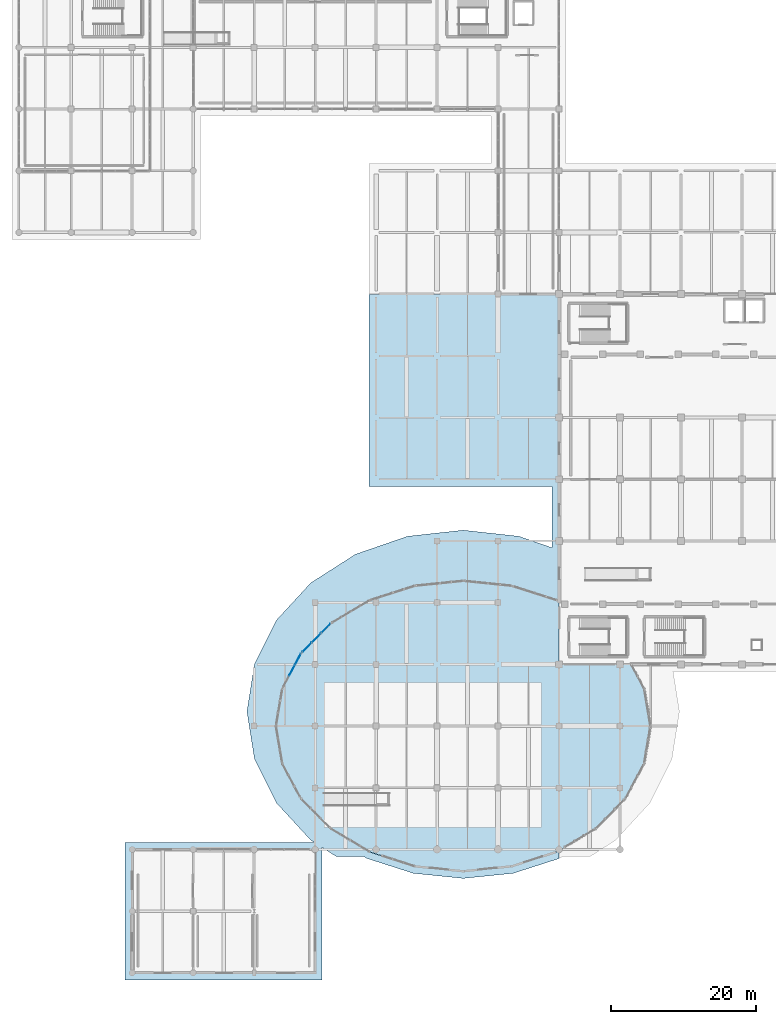
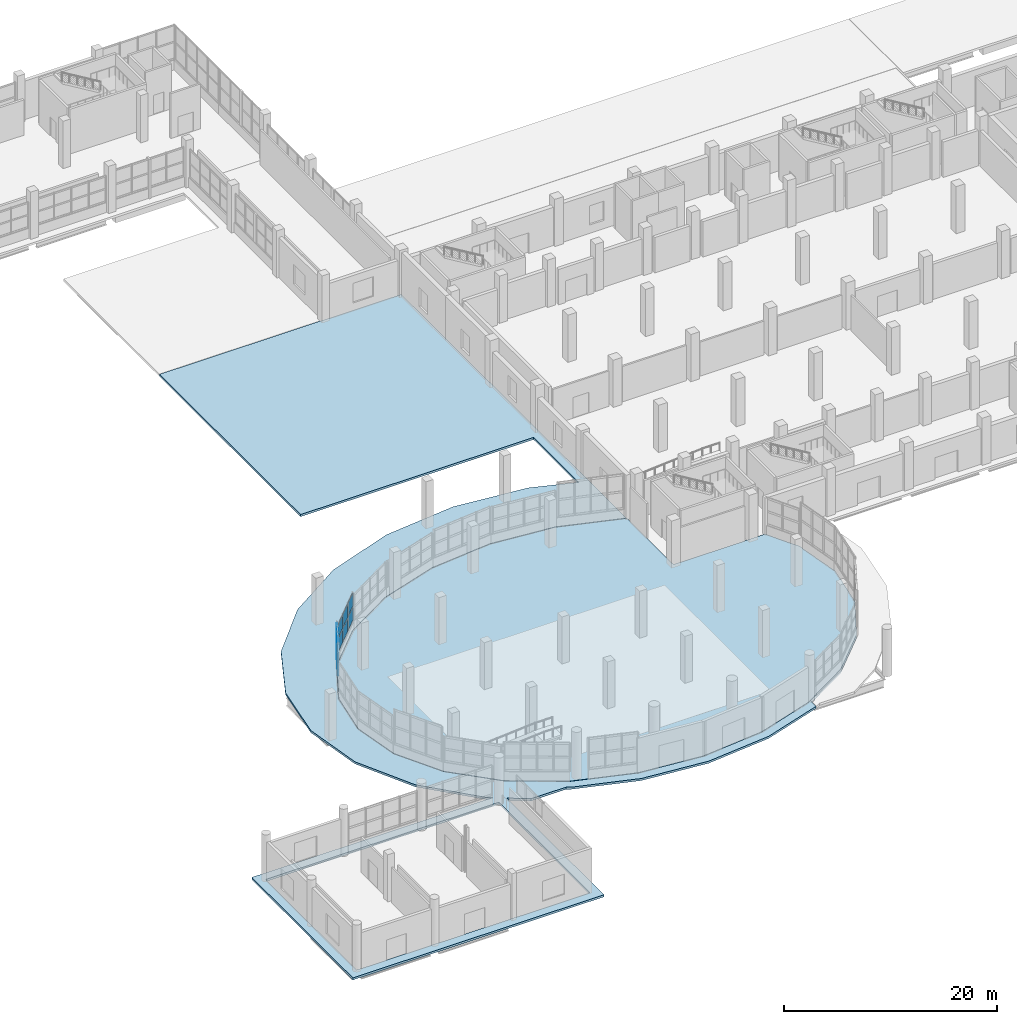
# One storey, part 74 of 107: 10 plates, 2 slabs, 2 elements without a shape of their own.
"""IFC4 building model written with IfcOpenShell, lengths in metres."""

import ifcopenshell
import ifcopenshell.guid

model = None  # the IFC model being written
_history = None  # IfcOwnerHistory: only IFC2X3 demands one
_inside = {}  # id of a spatial element -> (the spatial element, [elements in it])
_under = {}  # id of a project, library or spatial element -> (it, [spatial elements below it])
_declared = {}  # id of a project -> (the project, [libraries it declares])
_typed = {}  # id of a type object -> (the type object, [elements of that type])
_made_of = {}  # id of a material, layer set ... -> (it, [elements and type objects made of it])


def new_model(schema):
    """Start an empty IFC model of exactly this schema.

    Asked for "IFC4X3", IfcOpenShell would pick the latest addendum, in which some entities
    have other attributes; the version numbers below select the first issue.
    IFC2X3 requires an IfcOwnerHistory on every rooted entity: one is made here for all.
    """
    global model, _history
    if schema == "IFC4X3":
        model = ifcopenshell.file(schema_version=(4, 3, 0, 0))
    else:
        model = ifcopenshell.file(schema=schema)
    _inside.clear()
    _under.clear()
    _declared.clear()
    _typed.clear()
    _made_of.clear()
    _history = None
    if model.schema == "IFC2X3":
        org = make("IfcOrganization", Name="unknown")
        user = make(
            "IfcPersonAndOrganization",
            ThePerson=make("IfcPerson", FamilyName="unknown"),
            TheOrganization=org,
        )
        app = make(
            "IfcApplication",
            ApplicationDeveloper=org,
            Version="unknown",
            ApplicationFullName="unknown",
            ApplicationIdentifier="unknown",
        )
        _history = make(
            "IfcOwnerHistory",
            OwningUser=user,
            OwningApplication=app,
            ChangeAction="ADDED",
            CreationDate=0,
        )
    return model


def make(cls, **values):
    """One entity of the class cls with the attributes given. An attribute that is None is left unset."""
    return model.create_entity(
        cls, **{name: value for name, value in values.items() if value is not None}
    )


def rooted(cls, **values):
    """An entity with a GlobalId (a new one), such as an element, a storey or a relation."""
    return make(cls, GlobalId=ifcopenshell.guid.new(), OwnerHistory=_history, **values)


def si_unit(unit_type, name, prefix=None):
    """IfcSIUnit, for example si_unit("LENGTHUNIT", "METRE", prefix="MILLI")."""
    return make("IfcSIUnit", UnitType=unit_type, Prefix=prefix, Name=name)


def assignment(units):
    """IfcUnitAssignment: the units of a project."""
    return None if units is None else make("IfcUnitAssignment", Units=units)


def point(xyz):
    """IfcCartesianPoint."""
    return None if xyz is None else make("IfcCartesianPoint", Coordinates=xyz)


def direction(xyz):
    """IfcDirection."""
    return None if xyz is None else make("IfcDirection", DirectionRatios=xyz)


def frame(location, z_axis=None, x_axis=None):
    """IfcAxis2Placement3D, a coordinate frame: its origin and axes. An axis left out is left unset."""
    return make(
        "IfcAxis2Placement3D",
        Location=point(location),
        Axis=direction(z_axis),
        RefDirection=direction(x_axis),
    )


def frame_2d(location, x_axis=None):
    """IfcAxis2Placement2D, a coordinate frame in the plane: its origin and x axis."""
    return make(
        "IfcAxis2Placement2D", Location=point(location), RefDirection=direction(x_axis)
    )


def origin():
    """The frame at (0, 0, 0) with its axes left unset."""
    return frame((0.0, 0.0, 0.0))


def origin_2d():
    """The frame at (0, 0) in the plane with its x axis left unset."""
    return frame_2d((0.0, 0.0))


def place(relative_to, where):
    """IfcLocalPlacement: puts the frame where relative to a parent placement (None: the world)."""
    return make(
        "IfcLocalPlacement", PlacementRelTo=relative_to, RelativePlacement=where
    )


def context(
    kind, dimensions, precision=None, world=None, true_north=None, identifier=None
):
    """IfcGeometricRepresentationContext, for example the 3D "Model" context."""
    return make(
        "IfcGeometricRepresentationContext",
        ContextIdentifier=identifier,
        ContextType=kind,
        CoordinateSpaceDimension=dimensions,
        Precision=precision,
        WorldCoordinateSystem=world,
        TrueNorth=true_north,
    )


def subcontext(parent, identifier, kind, view, scale=None):
    """IfcGeometricRepresentationSubContext, for example "Body" below "Model"."""
    return make(
        "IfcGeometricRepresentationSubContext",
        ContextIdentifier=identifier,
        ContextType=kind,
        ParentContext=parent,
        TargetScale=scale,
        TargetView=view,
    )


def project(units=None, contexts=None):
    """IfcProject with its units and contexts."""
    return rooted(
        "IfcProject",
        Name="project",
        RepresentationContexts=contexts,
        UnitsInContext=assignment(units),
    )


def spatial(cls, under=None, at=None, **own):
    """A site, building, storey or space (cls), placed at a placement, below another one or the project."""
    s = rooted(cls, ObjectPlacement=at, **own)
    if under is not None:
        _under.setdefault(under.id(), (under, []))[1].append(s)
    return s


def polyline(points):
    """IfcPolyline through the points."""
    return make("IfcPolyline", Points=[point(p) for p in points])


def profile(cls, at=None, kind="AREA", **sizes):
    """A parametric profile (cls). Its sizes go by their IFC names, for example OverallWidth=200.0."""
    return make(cls, ProfileType=kind, Position=at, **sizes)


def rectangle(**sizes):
    """IfcRectangleProfileDef."""
    return profile("IfcRectangleProfileDef", **sizes)


def outline(outer, holes=None, kind="AREA"):
    """IfcArbitraryClosedProfileDef: a profile drawn as a closed curve; with holes, ...WithVoids."""
    if holes is None:
        return make("IfcArbitraryClosedProfileDef", ProfileType=kind, OuterCurve=outer)
    return make(
        "IfcArbitraryProfileDefWithVoids",
        ProfileType=kind,
        OuterCurve=outer,
        InnerCurves=holes,
    )


def extrude(swept, where, along, depth):
    """IfcExtrudedAreaSolid: the profile swept, set in the frame where, extruded along a direction by depth."""
    return make(
        "IfcExtrudedAreaSolid",
        SweptArea=swept,
        Position=where,
        ExtrudedDirection=direction(along),
        Depth=depth,
    )


def shape(context_of_items, identifier, shape_type, items):
    """IfcShapeRepresentation: the items that make up one representation, for example the "Body"."""
    return make(
        "IfcShapeRepresentation",
        ContextOfItems=context_of_items,
        RepresentationIdentifier=identifier,
        RepresentationType=shape_type,
        Items=items,
    )


def material(Name=None, Category=None):
    """IfcMaterial."""
    return make("IfcMaterial", Name=Name, Category=Category)


def layer(
    of_material, thickness, ventilated=None, Name=None, Category=None, Priority=None
):
    """IfcMaterialLayer: one layer of a wall or slab, of a material (None: an air gap)."""
    return make(
        "IfcMaterialLayer",
        Material=of_material,
        LayerThickness=thickness,
        IsVentilated=ventilated,
        Name=Name,
        Category=Category,
        Priority=Priority,
    )


def layer_set(layers, Name=None):
    """IfcMaterialLayerSet."""
    return make("IfcMaterialLayerSet", MaterialLayers=layers, LayerSetName=Name)


def made_of(thing, what):
    """Note that an element or type object is made of a material, layer set ...; save() writes the relation."""
    if what is not None:
        _made_of.setdefault(what.id(), (what, []))[1].append(thing)
    return thing


def type_object(cls, material=None, **own):
    """A type object (cls), such as IfcWallType, which elements share."""
    return made_of(rooted(cls, **own), material)


def element(
    cls,
    number,
    at=None,
    inside=None,
    cuts=None,
    type_object=None,
    material=None,
    context=None,
    identifier="Body",
    shape_type=None,
    held_by="IfcProductDefinitionShape",
    body=None,
    shapes=None,
    **own,
):
    """One element of the class cls, such as IfcWall. Its Tag is "e" and its number.

    at: its placement. inside: the storey or other place that contains it. cuts: it is an
    opening in that element (IfcRelVoidsElement). A single representation is given by context,
    identifier, shape_type and body (its items); several are given by shapes. held_by: the class
    of the entity that holds the representations. save() writes the other relations.
    """
    e = rooted(cls, Tag="e%d" % number, ObjectPlacement=at, **own)
    if body is not None:
        shapes = [shape(context, identifier, shape_type, body)]
    if shapes is not None:
        e.Representation = make(held_by, Representations=shapes)
    if inside is not None:
        _inside.setdefault(inside.id(), (inside, []))[1].append(e)
    if cuts is not None:
        rooted(
            "IfcRelVoidsElement", RelatingBuildingElement=cuts, RelatedOpeningElement=e
        )
    if type_object is not None:
        _typed.setdefault(type_object.id(), (type_object, []))[1].append(e)
    return made_of(e, material)


def aggregate(whole, parts):
    """IfcRelAggregates: a whole, such as a stair, and the parts it consists of."""
    return rooted("IfcRelAggregates", RelatingObject=whole, RelatedObjects=parts)


def save(model, path):
    """Write the relations noted so far, then the file.

    IfcRelAggregates (storeys below a building ...), IfcRelContainedInSpatialStructure (elements
    in a storey), IfcRelDefinesByType, IfcRelAssociatesMaterial and IfcRelDeclares: one each for
    every whole, place, type object, material and project.
    """
    for whole, parts in _under.values():
        aggregate(whole, parts)
    for where, things in _inside.values():
        rooted(
            "IfcRelContainedInSpatialStructure",
            RelatedElements=things,
            RelatingStructure=where,
        )
    for kind, things in _typed.values():
        rooted("IfcRelDefinesByType", RelatedObjects=things, RelatingType=kind)
    for what, things in _made_of.values():
        rooted("IfcRelAssociatesMaterial", RelatedObjects=things, RelatingMaterial=what)
    for by, libraries in _declared.values():
        rooted("IfcRelDeclares", RelatingContext=by, RelatedDefinitions=libraries)
    model.write(path)


model = new_model("IFC4")

# Units and contexts
model_context = context("Model", 3, precision=1e-05, world=origin(), true_north=direction((0.0, 1.0)))
body_context = subcontext(model_context, "Body", "Model", "MODEL_VIEW")
ifc_project = project(units=[si_unit("LENGTHUNIT", "METRE"), si_unit("AREAUNIT", "SQUARE_METRE"), si_unit("VOLUMEUNIT", "CUBIC_METRE"), si_unit("PLANEANGLEUNIT", "RADIAN"), si_unit("MASSUNIT", "GRAM", prefix="KILO")], contexts=[model_context])

# Site, building, storey
site_placement = place(None, origin())
site = spatial("IfcSite", under=ifc_project, at=site_placement, CompositionType="ELEMENT")
building_placement = place(site_placement, origin())
building = spatial("IfcBuilding", under=site, at=building_placement, Name="Solvento Point Concert Hall", CompositionType="ELEMENT")
storey_placement = place(building_placement, origin())
storey = spatial("IfcBuildingStorey", under=building, at=storey_placement, Name="L00", CompositionType="ELEMENT", Elevation=0.0)

# Curtain wall, plates
ifc_material_1 = material(Name="Anodized Bronze Aluminium", Category="aluminium")
curtain_wall_type = type_object("IfcCurtainWallType", Name="CurtainWall_FoyerL00", PredefinedType="USERDEFINED", material=ifc_material_1)
curtain_wall_1_placement = place(storey_placement, origin())
curtain_wall_1 = element("IfcCurtainWall", 1, at=curtain_wall_1_placement, inside=storey, type_object=curtain_wall_type, Name="Unitised curtain wall CW-29 UCW-L00-007", ObjectType="UNITISED CURTAIN WALL", PredefinedType="USERDEFINED")
ifc_material_2 = material(Name="Hurricane Laminated Low-E Glass", Category="glass")
plate_type = type_object("IfcPlateType", Name="CurtainPanel_FoyerL00", PredefinedType="CURTAIN_PANEL", material=ifc_material_2)
plate_1_placement = place(storey_placement, frame((37.612548828125, 41.672119140625, 1.23974609375), z_axis=(0.0, 0.0, 1.0), x_axis=(0.471273592793, 0.881987075153, 0.0)))
plate_1 = element("IfcPlate", 2, at=plate_1_placement, type_object=plate_type, Name="Glazed curtain panel GL-01", PredefinedType="CURTAIN_PANEL", context=body_context, shape_type="SweptSolid", body=[
    extrude(rectangle(XDim=1.61962890625, YDim=0.052001953125, at=origin_2d()), origin(), (0.0, 0.0, 1.0), 1.820068359375),
])
plate_2_placement = place(storey_placement, frame((37.612548828125, 41.672119140625, 3.18017578125), z_axis=(0.0, 0.0, 1.0), x_axis=(0.471273592793, 0.881987075153, 0.0)))
plate_2 = element("IfcPlate", 3, at=plate_2_placement, type_object=plate_type, Name="Glazed curtain panel GL-01", PredefinedType="CURTAIN_PANEL", context=body_context, shape_type="SweptSolid", body=[
    extrude(rectangle(XDim=1.61962890625, YDim=0.052001953125, at=origin_2d()), origin(), (0.0, 0.0, 1.0), 1.820068359375),
])
plate_3_placement = place(storey_placement, frame((38.432373046875, 43.206298828125, 1.23974609375), z_axis=(0.0, 0.0, 1.0), x_axis=(0.471273592793, 0.881987075153, 0.0)))
plate_3 = element("IfcPlate", 4, at=plate_3_placement, type_object=plate_type, Name="Glazed curtain panel GL-01", PredefinedType="CURTAIN_PANEL", context=body_context, shape_type="SweptSolid", body=[
    extrude(rectangle(XDim=1.61962890625, YDim=0.052001953125, at=origin_2d()), origin(), (0.0, 0.0, 1.0), 1.820068359375),
])
plate_4_placement = place(storey_placement, frame((38.432373046875, 43.206298828125, 3.18017578125), z_axis=(0.0, 0.0, 1.0), x_axis=(0.471273592793, 0.881987075153, 0.0)))
plate_4 = element("IfcPlate", 5, at=plate_4_placement, type_object=plate_type, Name="Glazed curtain panel GL-01", PredefinedType="CURTAIN_PANEL", context=body_context, shape_type="SweptSolid", body=[
    extrude(rectangle(XDim=1.61962890625, YDim=0.052001953125, at=origin_2d()), origin(), (0.0, 0.0, 1.0), 1.820068359375),
])
aggregate(curtain_wall_1, [plate_1, plate_2, plate_3, plate_4])

curtain_wall_2_placement = place(storey_placement, origin())
curtain_wall_2 = element("IfcCurtainWall", 6, at=curtain_wall_2_placement, inside=storey, type_object=curtain_wall_type, Name="Unitised curtain wall CW-29 UCW-L00-008", ObjectType="UNITISED CURTAIN WALL", PredefinedType="USERDEFINED")
plate_5_placement = place(storey_placement, frame((39.665283203125, 44.817138671875, 1.23974609375), z_axis=(0.0, 0.0, 1.0), x_axis=(0.703493942283, 0.710701254517, 0.0)))
plate_5 = element("IfcPlate", 7, at=plate_5_placement, type_object=plate_type, Name="Glazed curtain panel GL-01", PredefinedType="CURTAIN_PANEL", context=body_context, shape_type="SweptSolid", body=[
    extrude(rectangle(XDim=1.739501953125, YDim=0.052001953125, at=origin_2d()), origin(), (0.0, 0.0, 1.0), 1.508056640625),
])
plate_6_placement = place(storey_placement, frame((39.665283203125, 44.817138671875, 2.8681640625), z_axis=(0.0, 0.0, 1.0), x_axis=(0.703493942283, 0.710701254517, 0.0)))
plate_6 = element("IfcPlate", 8, at=plate_6_placement, type_object=plate_type, Name="Glazed curtain panel GL-01", PredefinedType="CURTAIN_PANEL", context=body_context, shape_type="SweptSolid", body=[
    extrude(rectangle(XDim=1.739501953125, YDim=0.052001953125, at=origin_2d()), origin(), (0.0, 0.0, 1.0), 1.508056640625),
])
plate_7_placement = place(storey_placement, frame((40.973388671875, 46.138671875, 1.23974609375), z_axis=(0.0, 0.0, 1.0), x_axis=(0.703493942283, 0.710701254517, 0.0)))
plate_7 = element("IfcPlate", 9, at=plate_7_placement, type_object=plate_type, Name="Glazed curtain panel GL-01", PredefinedType="CURTAIN_PANEL", context=body_context, shape_type="SweptSolid", body=[
    extrude(rectangle(XDim=1.739501953125, YDim=0.052001953125, at=origin_2d()), origin(), (0.0, 0.0, 1.0), 1.508056640625),
])
plate_8_placement = place(storey_placement, frame((40.973388671875, 46.138671875, 2.8681640625), z_axis=(0.0, 0.0, 1.0), x_axis=(0.703493942283, 0.710701254517, 0.0)))
plate_8 = element("IfcPlate", 10, at=plate_8_placement, type_object=plate_type, Name="Glazed curtain panel GL-01", PredefinedType="CURTAIN_PANEL", context=body_context, shape_type="SweptSolid", body=[
    extrude(rectangle(XDim=1.739501953125, YDim=0.052001953125, at=origin_2d()), origin(), (0.0, 0.0, 1.0), 1.508056640625),
])
plate_9_placement = place(storey_placement, frame((42.281494140625, 47.4599609375, 1.23974609375), z_axis=(0.0, 0.0, 1.0), x_axis=(0.703493942283, 0.710701254517, 0.0)))
plate_9 = element("IfcPlate", 11, at=plate_9_placement, type_object=plate_type, Name="Glazed curtain panel GL-01", PredefinedType="CURTAIN_PANEL", context=body_context, shape_type="SweptSolid", body=[
    extrude(rectangle(XDim=1.739501953125, YDim=0.052001953125, at=origin_2d()), origin(), (0.0, 0.0, 1.0), 1.508056640625),
])
plate_10_placement = place(storey_placement, frame((42.281494140625, 47.4599609375, 2.8681640625), z_axis=(0.0, 0.0, 1.0), x_axis=(0.703493942283, 0.710701254517, 0.0)))
plate_10 = element("IfcPlate", 12, at=plate_10_placement, type_object=plate_type, Name="Glazed curtain panel GL-01", PredefinedType="CURTAIN_PANEL", context=body_context, shape_type="SweptSolid", body=[
    extrude(rectangle(XDim=1.739501953125, YDim=0.052001953125, at=origin_2d()), origin(), (0.0, 0.0, 1.0), 1.508056640625),
])
aggregate(curtain_wall_2, [plate_5, plate_6, plate_7, plate_8, plate_9, plate_10])

# Slabs
ifc_material_3 = material(Name="Concrete C35/45", Category="concrete")
ifc_layer_1 = layer(ifc_material_3, 0.409912109375)
ifc_layer_set_1 = layer_set([ifc_layer_1], Name="Concrete C35/45")
slab_type_1 = type_object("IfcSlabType", Name="FloorSlab_405_Ground", PredefinedType="FLOOR", material=ifc_layer_set_1)
slab_1_placement = place(storey_placement, frame((0.0, 0.0, -0.409912109375)))
element("IfcSlab", 13, at=slab_1_placement, inside=storey, type_object=slab_type_1, Name="Structural slab SL-G40 SLAB-L00-V2RING", PredefinedType="FLOOR", context=body_context, shape_type="SweptSolid", body=[
    extrude(outline(polyline([(83.54345703125, 24.0), (79.443359375, 19.85791015625), (74.10009765625, 16.679443359375), (67.87744140625, 14.681396484375), (61.199951171875, 14.0), (54.5224609375, 14.681396484375), (48.300048828125, 16.679443359375), (42.95654296875, 19.85791015625), (38.8564453125, 24.0), (36.279052734375, 28.823486328125), (35.39990234375, 34.0), (36.279052734375, 39.176513671875), (38.8564453125, 44.0), (42.95654296875, 48.14208984375), (48.300048828125, 51.320556640625), (54.5224609375, 53.318603515625), (61.199951171875, 54.0), (67.87744140625, 53.318603515625), (74.10009765625, 51.320556640625), (74.39990234375, 51.14208984375), (74.39990234375, 42.5), (84.344970703125, 42.5), (86.120849609375, 39.176513671875), (87.0, 34.0), (86.120849609375, 28.823486328125), (83.54345703125, 24.0)])), origin(), (0.0, 0.0, 1.0), 0.409912109375),
])
ifc_material_4 = material(Name="Concrete C40/50", Category="concrete")
ifc_layer_2 = layer(ifc_material_4, 0.239990234375)
ifc_layer_set_2 = layer_set([ifc_layer_2], Name="Concrete C40/50")
slab_type_2 = type_object("IfcSlabType", Name="TerraceSlab_250", PredefinedType="FLOOR", material=ifc_layer_set_2)
slab_2_placement = place(storey_placement, frame((0.0, 0.0, -0.239990234375)))
element("IfcSlab", 14, at=slab_2_placement, inside=storey, type_object=slab_type_2, Name="Outdoor public terrace deck L00", PredefinedType="FLOOR", context=body_context, shape_type="SweptSolid", body=[
    extrude(outline(polyline([(32.436767578125, 29.48681640625), (31.40771484375, 36.0), (32.436767578125, 42.51318359375), (35.443115234375, 48.561279296875), (40.200439453125, 53.727783203125), (46.3701171875, 57.673095703125), (53.530029296875, 60.144287109375), (61.199951171875, 60.98583984375), (68.8701171875, 60.144287109375), (73.419921875, 58.57373046875), (73.419921875, 67.02001953125), (48.219970703125, 67.02001953125), (48.219970703125, 93.47998046875), (74.375, 93.47509765625), (74.375, 51.18603515625), (74.1103515625, 51.343505859375), (67.882568359375, 53.343017578125), (61.199951171875, 54.025146484375), (54.517333984375, 53.343017578125), (48.289794921875, 51.343505859375), (42.941162109375, 48.162109375), (38.836181640625, 44.014892578125), (36.255126953125, 39.1845703125), (35.37451171875, 34.0), (36.255126953125, 28.8154296875), (38.836181640625, 23.985107421875), (42.941162109375, 19.837890625), (48.289794921875, 16.656494140625), (54.517333984375, 14.656982421875), (61.199951171875, 13.974853515625), (67.882568359375, 14.656982421875), (74.1103515625, 16.656494140625), (74.3798828125, 16.81689453125), (74.3798828125, 15.739990234375), (68.0791015625, 13.717041015625), (61.199951171875, 13.014892578125), (54.32080078125, 13.717041015625), (47.89453125, 15.780517578125), (47.49169921875, 16.02001953125), (43.722412109375, 16.02001953125), (41.780029296875, 17.26220703125), (41.780029296875, -0.97998046875), (14.6201171875, -0.97998046875), (14.6201171875, 17.97998046875), (40.6572265625, 17.97998046875), (40.200439453125, 18.272216796875), (35.443115234375, 23.438720703125), (32.436767578125, 29.48681640625)]), holes=[polyline([(15.574951171875, -0.02490234375), (40.824951171875, -0.02490234375), (40.824951171875, 17.02490234375), (15.574951171875, 17.02490234375), (15.574951171875, -0.02490234375)])]), origin(), (0.0, 0.0, 1.0), 0.239990234375),
])

save(model, "model.ifc")
